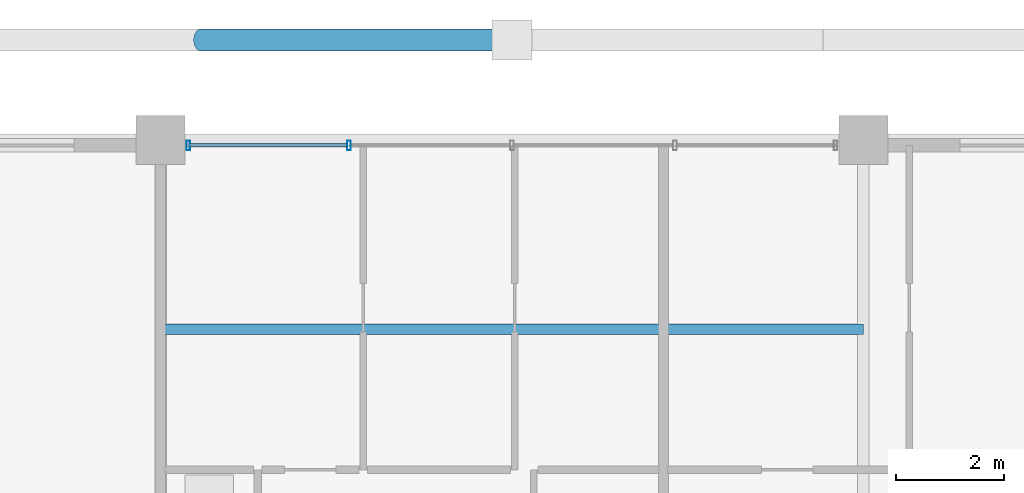
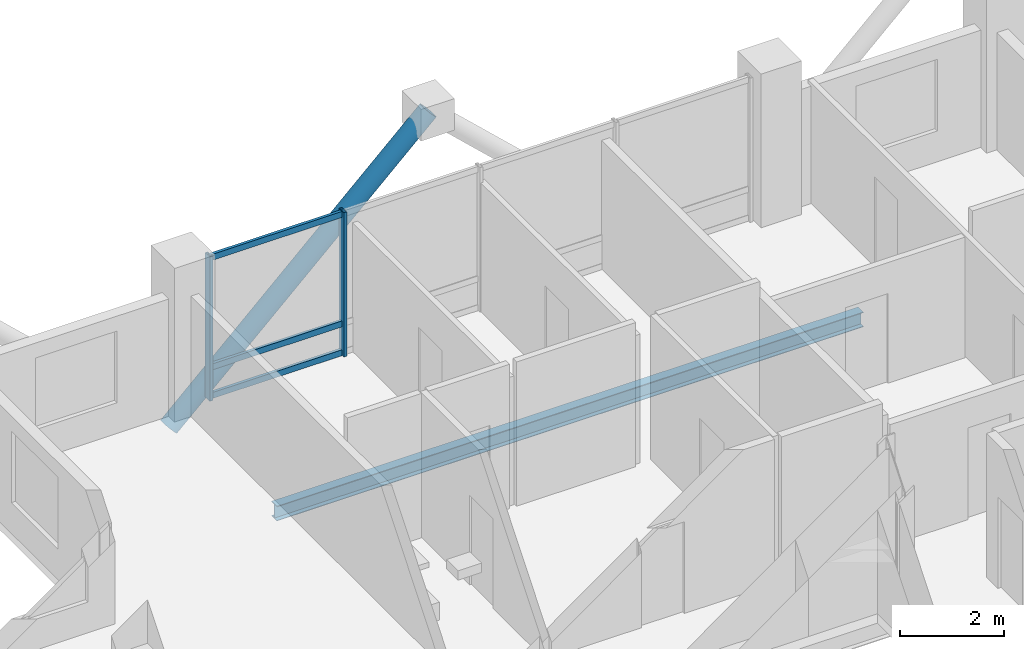
# One storey, part 14 of 23: 6 members, 1 beam, 1 element without a shape of its own.
"""IFC4 building model written with IfcOpenShell, lengths in metres."""

from ifc_helpers import new_model, si_unit, direction, frame, origin, origin_2d, place, context, subcontext, project, spatial, hollow_rectangle, hollow_circle, i_section, extrude, material, layer, layer_set, material_profile, profile_set, type_object, element, aggregate, save


model = new_model("IFC4")

# Units and contexts
model_context = context("Model", 3, precision=1e-05, world=origin(), true_north=direction((0.0, 1.0)))
body_context = subcontext(model_context, "Body", "Model", "MODEL_VIEW")
ifc_project = project(units=[si_unit("LENGTHUNIT", "METRE"), si_unit("AREAUNIT", "SQUARE_METRE"), si_unit("VOLUMEUNIT", "CUBIC_METRE"), si_unit("PLANEANGLEUNIT", "RADIAN"), si_unit("MASSUNIT", "GRAM", prefix="KILO")], contexts=[model_context])

# Site, building, storey
site_placement = place(None, origin())
site = spatial("IfcSite", under=ifc_project, at=site_placement, CompositionType="ELEMENT")
building_placement = place(site_placement, origin())
building = spatial("IfcBuilding", under=site, at=building_placement, Name="Barlavira Tower and Art Museum", CompositionType="ELEMENT")
storey_placement = place(building_placement, frame((0.0, 0.0, 236.699951171875)))
storey = spatial("IfcBuildingStorey", under=building, at=storey_placement, Name="L61", CompositionType="ELEMENT", Elevation=236.699951171875)

# Curtain wall, members
ifc_material_1 = material(Name="Low-iron coastal laminated glass", Category="glass")
ifc_layer = layer(ifc_material_1, 0.2099609375, Name="Low-iron coastal laminated glass")
ifc_layer_set = layer_set([ifc_layer], Name="Low-iron coastal laminated glass")
curtain_wall_type = type_object("IfcCurtainWallType", Name="Pale-Metal Unitised Curtain Wall Zone 4", PredefinedType="NOTDEFINED", material=ifc_layer_set)
curtain_wall_placement = place(storey_placement, origin())
curtain_wall = element("IfcCurtainWall", 1, at=curtain_wall_placement, inside=storey, type_object=curtain_wall_type, Name="L61 Curtain Wall CW4-L61-N-B2", PredefinedType="NOTDEFINED")
ifc_material_2 = material(Name="Pale anodised aluminium", Category="aluminium")
ifc_material_profile_1 = material_profile(ifc_material_2, hollow_rectangle(XDim=0.06494140625, YDim=0.179931640625, WallThickness=0.00390625, at=origin_2d()), Name="ALU-MULL 65x180x4")
ifc_profile_set_1 = profile_set([ifc_material_profile_1], Name="Pale anodised aluminium")
member_type_1 = type_object("IfcMemberType", Name="Curtain Wall Pale-Metal Mullion 65x180", PredefinedType="MULLION", material=ifc_profile_set_1)
member_1_placement = place(storey_placement, frame((-3.014892578125, 19.89990234375, 0.0), z_axis=(0.0, 0.0, 1.0), x_axis=(-1.0, 0.0, 0.0)))
member_1 = element("IfcMember", 2, at=member_1_placement, type_object=member_type_1, Name="CW4-L61-N-B2 Mullion 3", PredefinedType="MULLION", context=body_context, shape_type="SweptSolid", body=[
    extrude(hollow_rectangle(XDim=0.06494140625, YDim=0.179931640625, WallThickness=0.00390625, at=origin_2d()), origin(), (0.0, 0.0, 1.0), 3.380126953125),
])
member_2_placement = place(storey_placement, frame((-5.985107421875, 19.89990234375, 0.0), z_axis=(0.0, 0.0, 1.0), x_axis=(-1.0, 0.0, 0.0)))
member_2 = element("IfcMember", 3, at=member_2_placement, type_object=member_type_1, Name="CW4-L61-N-B2 Mullion 4", PredefinedType="MULLION", context=body_context, shape_type="SweptSolid", body=[
    extrude(hollow_rectangle(XDim=0.06494140625, YDim=0.179931640625, WallThickness=0.00390625, at=origin_2d()), origin(), (0.0, 0.0, 1.0), 3.380126953125),
])
ifc_material_profile_2 = material_profile(ifc_material_2, hollow_rectangle(XDim=0.06494140625, YDim=0.139892578125, WallThickness=0.00390625, at=origin_2d()), Name="ALU-TRAN 65x140x4")
ifc_profile_set_2 = profile_set([ifc_material_profile_2], Name="Pale anodised aluminium")
member_type_2 = type_object("IfcMemberType", Name="Curtain Wall Pale-Metal Transom 65x140", PredefinedType="USERDEFINED", material=ifc_profile_set_2)
member_3_placement = place(storey_placement, frame((-3.06005859375, 19.89990234375, 0.070068359375), z_axis=(-1.0, 0.0, 0.0), x_axis=(0.0, -1.0, 0.0)))
member_3 = element("IfcMember", 4, at=member_3_placement, type_object=member_type_2, Name="CW4-L61-N-B2 Transom 3.1", ObjectType="TRANSOM", PredefinedType="USERDEFINED", context=body_context, shape_type="SweptSolid", body=[
    extrude(hollow_rectangle(XDim=0.06494140625, YDim=0.139892578125, WallThickness=0.00390625, at=origin_2d()), origin(), (0.0, 0.0, 1.0), 2.925048828125),
])
member_4_placement = place(storey_placement, frame((-3.06005859375, 19.89990234375, 0.744140625), z_axis=(-1.0, 0.0, 0.0), x_axis=(0.0, -1.0, 0.0)))
member_4 = element("IfcMember", 5, at=member_4_placement, type_object=member_type_2, Name="CW4-L61-N-B2 Transom 3.2", ObjectType="TRANSOM", PredefinedType="USERDEFINED", context=body_context, shape_type="SweptSolid", body=[
    extrude(hollow_rectangle(XDim=0.06494140625, YDim=0.139892578125, WallThickness=0.00390625, at=origin_2d()), origin(), (0.0, 0.0, 1.0), 2.925048828125),
])
member_5_placement = place(storey_placement, frame((-3.06005859375, 19.89990234375, 3.31005859375), z_axis=(-1.0, 0.0, 0.0), x_axis=(0.0, -1.0, 0.0)))
member_5 = element("IfcMember", 6, at=member_5_placement, type_object=member_type_2, Name="CW4-L61-N-B2 Transom 3.3", ObjectType="TRANSOM", PredefinedType="USERDEFINED", context=body_context, shape_type="SweptSolid", body=[
    extrude(hollow_rectangle(XDim=0.06494140625, YDim=0.139892578125, WallThickness=0.00390625, at=origin_2d()), origin(), (0.0, 0.0, 1.0), 2.925048828125),
])
aggregate(curtain_wall, [member_1, member_2, member_3, member_4, member_5])

# Member
ifc_material_3 = material(Name="Steel S355", Category="steel")
ifc_material_profile_3 = material_profile(ifc_material_3, hollow_circle(Radius=0.203125, WallThickness=0.01611328125, at=origin_2d()), Name="CHS 406.4x16.0")
ifc_profile_set_3 = profile_set([ifc_material_profile_3], Name="Steel S355")
member_type_3 = type_object("IfcMemberType", Name="Pale-Metal Exoskeleton Diagrid Tube CHS 406x16 Steel S355", PredefinedType="BRACE", material=ifc_profile_set_3)
member_6_placement = place(storey_placement, frame((-5.75, 21.85009765625, -1.919921875), z_axis=(0.728950095515, 0.0, 0.684566839869), x_axis=(0.0, 1.0, 0.0)))
element("IfcMember", 7, at=member_6_placement, inside=storey, type_object=member_type_3, Name="L61 Exoskeleton Diagrid Tube N", PredefinedType="BRACE", context=body_context, shape_type="SweptSolid", body=[
    extrude(hollow_circle(Radius=0.203125, WallThickness=0.01611328125, at=origin_2d()), origin(), (0.0, 0.0, 1.0), 7.887939453125),
])

# Beam
ifc_material_profile_4 = material_profile(ifc_material_3, i_section(OverallWidth=0.202880859375, OverallDepth=0.346923828125, WebThickness=0.0078125, FlangeThickness=0.013427734375, at=origin_2d()), Name="W360x64.0")
ifc_profile_set_4 = profile_set([ifc_material_profile_4], Name="Steel S355")
beam_type = type_object("IfcBeamType", Name="Zone 4 Composite Floor Joist W360x64 Steel S355", PredefinedType="JOIST", material=ifc_profile_set_4)
beam_placement = place(storey_placement, frame((-6.5, 16.5, -0.3935546875), z_axis=(1.0, 0.0, 0.0), x_axis=(0.0, 1.0, 0.0)))
element("IfcBeam", 8, at=beam_placement, inside=storey, type_object=beam_type, Name="L61 Joist C2", PredefinedType="JOIST", context=body_context, shape_type="SweptSolid", body=[
    extrude(i_section(OverallWidth=0.202880859375, OverallDepth=0.346923828125, WebThickness=0.0078125, FlangeThickness=0.013427734375, at=origin_2d()), origin(), (0.0, 0.0, 1.0), 13.0),
])

save(model, "model.ifc")
